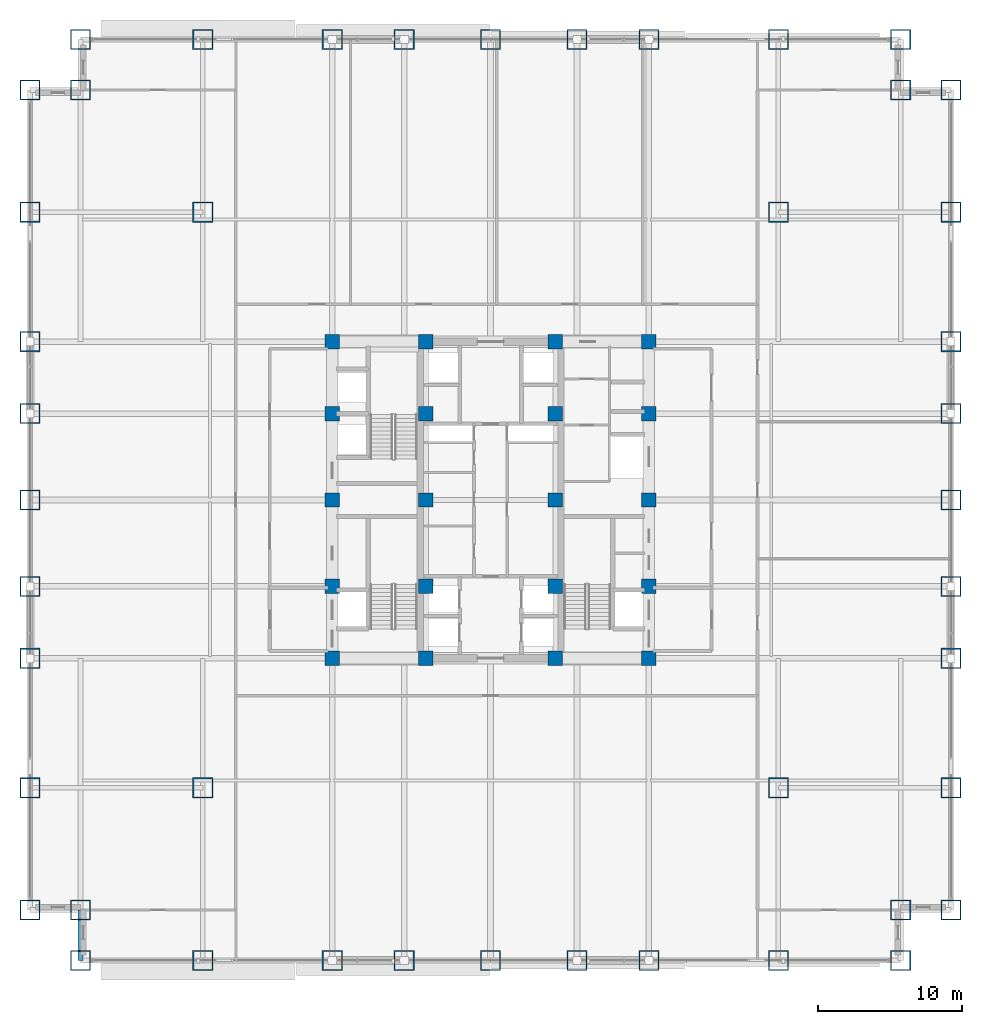
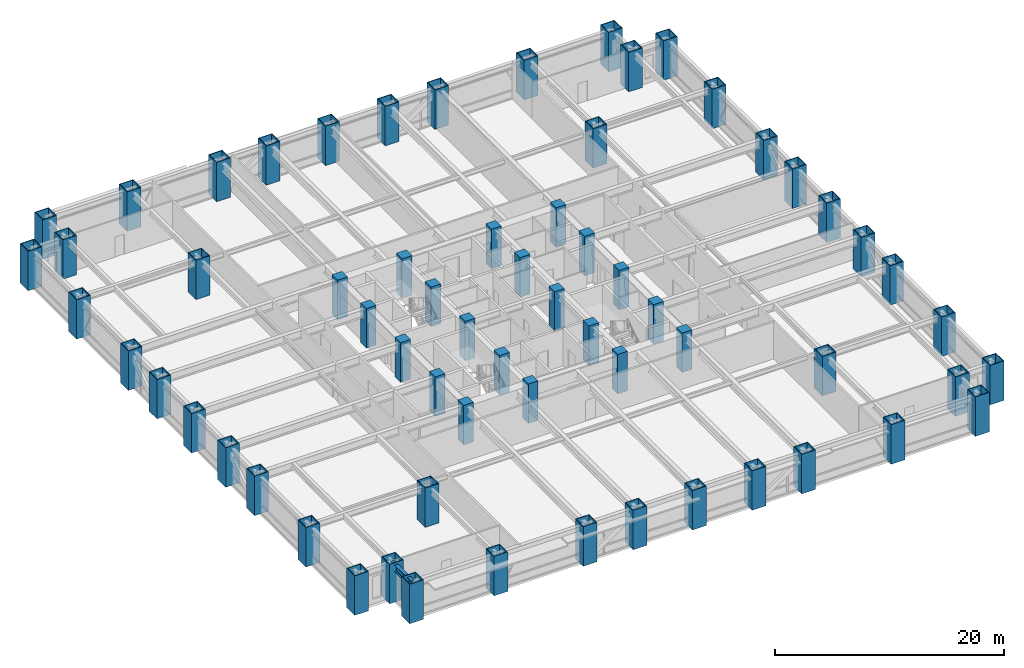
# One storey, part 1 of 31: 64 columns, 1 beam.
"""IFC4 building model written with IfcOpenShell, lengths in metres."""

import ifcopenshell
import ifcopenshell.guid

model = None  # the IFC model being written
_history = None  # IfcOwnerHistory: only IFC2X3 demands one
_inside = {}  # id of a spatial element -> (the spatial element, [elements in it])
_under = {}  # id of a project, library or spatial element -> (it, [spatial elements below it])
_declared = {}  # id of a project -> (the project, [libraries it declares])
_typed = {}  # id of a type object -> (the type object, [elements of that type])
_made_of = {}  # id of a material, layer set ... -> (it, [elements and type objects made of it])


def new_model(schema):
    """Start an empty IFC model of exactly this schema.

    Asked for "IFC4X3", IfcOpenShell would pick the latest addendum, in which some entities
    have other attributes; the version numbers below select the first issue.
    IFC2X3 requires an IfcOwnerHistory on every rooted entity: one is made here for all.
    """
    global model, _history
    if schema == "IFC4X3":
        model = ifcopenshell.file(schema_version=(4, 3, 0, 0))
    else:
        model = ifcopenshell.file(schema=schema)
    _inside.clear()
    _under.clear()
    _declared.clear()
    _typed.clear()
    _made_of.clear()
    _history = None
    if model.schema == "IFC2X3":
        org = make("IfcOrganization", Name="unknown")
        user = make(
            "IfcPersonAndOrganization",
            ThePerson=make("IfcPerson", FamilyName="unknown"),
            TheOrganization=org,
        )
        app = make(
            "IfcApplication",
            ApplicationDeveloper=org,
            Version="unknown",
            ApplicationFullName="unknown",
            ApplicationIdentifier="unknown",
        )
        _history = make(
            "IfcOwnerHistory",
            OwningUser=user,
            OwningApplication=app,
            ChangeAction="ADDED",
            CreationDate=0,
        )
    return model


def make(cls, **values):
    """One entity of the class cls with the attributes given. An attribute that is None is left unset."""
    return model.create_entity(
        cls, **{name: value for name, value in values.items() if value is not None}
    )


def rooted(cls, **values):
    """An entity with a GlobalId (a new one), such as an element, a storey or a relation."""
    return make(cls, GlobalId=ifcopenshell.guid.new(), OwnerHistory=_history, **values)


def si_unit(unit_type, name, prefix=None):
    """IfcSIUnit, for example si_unit("LENGTHUNIT", "METRE", prefix="MILLI")."""
    return make("IfcSIUnit", UnitType=unit_type, Prefix=prefix, Name=name)


def assignment(units):
    """IfcUnitAssignment: the units of a project."""
    return None if units is None else make("IfcUnitAssignment", Units=units)


def point(xyz):
    """IfcCartesianPoint."""
    return None if xyz is None else make("IfcCartesianPoint", Coordinates=xyz)


def direction(xyz):
    """IfcDirection."""
    return None if xyz is None else make("IfcDirection", DirectionRatios=xyz)


def frame(location, z_axis=None, x_axis=None):
    """IfcAxis2Placement3D, a coordinate frame: its origin and axes. An axis left out is left unset."""
    return make(
        "IfcAxis2Placement3D",
        Location=point(location),
        Axis=direction(z_axis),
        RefDirection=direction(x_axis),
    )


def frame_2d(location, x_axis=None):
    """IfcAxis2Placement2D, a coordinate frame in the plane: its origin and x axis."""
    return make(
        "IfcAxis2Placement2D", Location=point(location), RefDirection=direction(x_axis)
    )


def origin():
    """The frame at (0, 0, 0) with its axes left unset."""
    return frame((0.0, 0.0, 0.0))


def origin_2d():
    """The frame at (0, 0) in the plane with its x axis left unset."""
    return frame_2d((0.0, 0.0))


def place(relative_to, where):
    """IfcLocalPlacement: puts the frame where relative to a parent placement (None: the world)."""
    return make(
        "IfcLocalPlacement", PlacementRelTo=relative_to, RelativePlacement=where
    )


def context(
    kind, dimensions, precision=None, world=None, true_north=None, identifier=None
):
    """IfcGeometricRepresentationContext, for example the 3D "Model" context."""
    return make(
        "IfcGeometricRepresentationContext",
        ContextIdentifier=identifier,
        ContextType=kind,
        CoordinateSpaceDimension=dimensions,
        Precision=precision,
        WorldCoordinateSystem=world,
        TrueNorth=true_north,
    )


def subcontext(parent, identifier, kind, view, scale=None):
    """IfcGeometricRepresentationSubContext, for example "Body" below "Model"."""
    return make(
        "IfcGeometricRepresentationSubContext",
        ContextIdentifier=identifier,
        ContextType=kind,
        ParentContext=parent,
        TargetScale=scale,
        TargetView=view,
    )


def project(units=None, contexts=None):
    """IfcProject with its units and contexts."""
    return rooted(
        "IfcProject",
        Name="project",
        RepresentationContexts=contexts,
        UnitsInContext=assignment(units),
    )


def spatial(cls, under=None, at=None, **own):
    """A site, building, storey or space (cls), placed at a placement, below another one or the project."""
    s = rooted(cls, ObjectPlacement=at, **own)
    if under is not None:
        _under.setdefault(under.id(), (under, []))[1].append(s)
    return s


def profile(cls, at=None, kind="AREA", **sizes):
    """A parametric profile (cls). Its sizes go by their IFC names, for example OverallWidth=200.0."""
    return make(cls, ProfileType=kind, Position=at, **sizes)


def rectangle(**sizes):
    """IfcRectangleProfileDef."""
    return profile("IfcRectangleProfileDef", **sizes)


def hollow_rectangle(**sizes):
    """IfcRectangleHollowProfileDef."""
    return profile("IfcRectangleHollowProfileDef", **sizes)


def i_section(**sizes):
    """IfcIShapeProfileDef."""
    return profile("IfcIShapeProfileDef", **sizes)


def extrude(swept, where, along, depth):
    """IfcExtrudedAreaSolid: the profile swept, set in the frame where, extruded along a direction by depth."""
    return make(
        "IfcExtrudedAreaSolid",
        SweptArea=swept,
        Position=where,
        ExtrudedDirection=direction(along),
        Depth=depth,
    )


def shape(context_of_items, identifier, shape_type, items):
    """IfcShapeRepresentation: the items that make up one representation, for example the "Body"."""
    return make(
        "IfcShapeRepresentation",
        ContextOfItems=context_of_items,
        RepresentationIdentifier=identifier,
        RepresentationType=shape_type,
        Items=items,
    )


def source(mapping_origin, context_of_items, identifier, shape_type, items):
    """IfcRepresentationMap: a shape defined once, which mapped items show again and again."""
    return make(
        "IfcRepresentationMap",
        MappingOrigin=mapping_origin,
        MappedRepresentation=shape(context_of_items, identifier, shape_type, items),
    )


def transform(
    local_origin,
    x_axis=None,
    y_axis=None,
    z_axis=None,
    scale=None,
    scale2=None,
    scale3=None,
    uniform=True,
):
    """IfcCartesianTransformationOperator3D, or its non-uniform kind. x_axis, y_axis, z_axis: its Axis1, 2, 3."""
    if uniform:
        return make(
            "IfcCartesianTransformationOperator3D",
            Axis1=direction(x_axis),
            Axis2=direction(y_axis),
            LocalOrigin=point(local_origin),
            Scale=scale,
            Axis3=direction(z_axis),
        )
    return make(
        "IfcCartesianTransformationOperator3DnonUniform",
        Axis1=direction(x_axis),
        Axis2=direction(y_axis),
        LocalOrigin=point(local_origin),
        Scale=scale,
        Axis3=direction(z_axis),
        Scale2=scale2,
        Scale3=scale3,
    )


def mapped(mapping_source, mapping_target):
    """IfcMappedItem: shows the shape of a source again, moved by a transform."""
    return make(
        "IfcMappedItem", MappingSource=mapping_source, MappingTarget=mapping_target
    )


def material(Name=None, Category=None):
    """IfcMaterial."""
    return make("IfcMaterial", Name=Name, Category=Category)


def material_profile(
    of_material, cross_section, Name=None, Category=None, Priority=None
):
    """IfcMaterialProfile: a cross section and its material."""
    return make(
        "IfcMaterialProfile",
        Name=Name,
        Material=of_material,
        Profile=cross_section,
        Priority=Priority,
        Category=Category,
    )


def profile_set(profiles, Name=None, composite=None):
    """IfcMaterialProfileSet."""
    return make(
        "IfcMaterialProfileSet",
        Name=Name,
        MaterialProfiles=profiles,
        CompositeProfile=composite,
    )


def made_of(thing, what):
    """Note that an element or type object is made of a material, layer set ...; save() writes the relation."""
    if what is not None:
        _made_of.setdefault(what.id(), (what, []))[1].append(thing)
    return thing


def type_object(cls, material=None, **own):
    """A type object (cls), such as IfcWallType, which elements share."""
    return made_of(rooted(cls, **own), material)


def element(
    cls,
    number,
    at=None,
    inside=None,
    cuts=None,
    type_object=None,
    material=None,
    context=None,
    identifier="Body",
    shape_type=None,
    held_by="IfcProductDefinitionShape",
    body=None,
    shapes=None,
    **own,
):
    """One element of the class cls, such as IfcWall. Its Tag is "e" and its number.

    at: its placement. inside: the storey or other place that contains it. cuts: it is an
    opening in that element (IfcRelVoidsElement). A single representation is given by context,
    identifier, shape_type and body (its items); several are given by shapes. held_by: the class
    of the entity that holds the representations. save() writes the other relations.
    """
    e = rooted(cls, Tag="e%d" % number, ObjectPlacement=at, **own)
    if body is not None:
        shapes = [shape(context, identifier, shape_type, body)]
    if shapes is not None:
        e.Representation = make(held_by, Representations=shapes)
    if inside is not None:
        _inside.setdefault(inside.id(), (inside, []))[1].append(e)
    if cuts is not None:
        rooted(
            "IfcRelVoidsElement", RelatingBuildingElement=cuts, RelatedOpeningElement=e
        )
    if type_object is not None:
        _typed.setdefault(type_object.id(), (type_object, []))[1].append(e)
    return made_of(e, material)


def aggregate(whole, parts):
    """IfcRelAggregates: a whole, such as a stair, and the parts it consists of."""
    return rooted("IfcRelAggregates", RelatingObject=whole, RelatedObjects=parts)


def save(model, path):
    """Write the relations noted so far, then the file.

    IfcRelAggregates (storeys below a building ...), IfcRelContainedInSpatialStructure (elements
    in a storey), IfcRelDefinesByType, IfcRelAssociatesMaterial and IfcRelDeclares: one each for
    every whole, place, type object, material and project.
    """
    for whole, parts in _under.values():
        aggregate(whole, parts)
    for where, things in _inside.values():
        rooted(
            "IfcRelContainedInSpatialStructure",
            RelatedElements=things,
            RelatingStructure=where,
        )
    for kind, things in _typed.values():
        rooted("IfcRelDefinesByType", RelatedObjects=things, RelatingType=kind)
    for what, things in _made_of.values():
        rooted("IfcRelAssociatesMaterial", RelatedObjects=things, RelatingMaterial=what)
    for by, libraries in _declared.values():
        rooted("IfcRelDeclares", RelatingContext=by, RelatedDefinitions=libraries)
    model.write(path)


model = new_model("IFC4")

# Units and contexts
model_context = context("Model", 3, precision=1e-05, world=origin(), true_north=direction((0.0, 1.0)))
body_context = subcontext(model_context, "Body", "Model", "MODEL_VIEW")
ifc_project = project(units=[si_unit("LENGTHUNIT", "METRE"), si_unit("AREAUNIT", "SQUARE_METRE"), si_unit("VOLUMEUNIT", "CUBIC_METRE"), si_unit("PLANEANGLEUNIT", "RADIAN"), si_unit("MASSUNIT", "GRAM", prefix="KILO")], contexts=[model_context])

# Site, building, storey
site_placement = place(None, origin())
site = spatial("IfcSite", under=ifc_project, at=site_placement, CompositionType="ELEMENT")
building_placement = place(site_placement, origin())
building = spatial("IfcBuilding", under=site, at=building_placement, Name="Khorayat Bourse Tower", CompositionType="ELEMENT")
storey_placement = place(building_placement, frame((0.0, 0.0, 32.60009765625)))
storey = spatial("IfcBuildingStorey", under=building, at=storey_placement, Name="L06", CompositionType="ELEMENT", Elevation=32.60009765625)

# Columns
ifc_material_1 = material(Name="Steel EN 10025-4 S460M", Category="steel")
ifc_material_profile_1 = material_profile(ifc_material_1, hollow_rectangle(XDim=1.39990234375, YDim=1.39990234375, WallThickness=0.074951171875, at=origin_2d()), Name="BOX 1400x1400x75")
ifc_profile_set_1 = profile_set([ifc_material_profile_1], Name="Steel EN 10025-4 S460M")
column_type_1 = type_object("IfcColumnType", Name="COL-TUBE-1400", PredefinedType="COLUMN", material=ifc_profile_set_1)
shared_shape_1 = source(origin(), body_context, "Body", "SweptSolid", [
    extrude(hollow_rectangle(XDim=1.39990234375, YDim=1.39990234375, WallThickness=0.074951171875, at=origin_2d()), origin(), (0.0, 0.0, 1.0), 4.199951171875),
])
for number, where, z_axis, x_axis, name in (
    (1, (-32.0, -28.5, 0.0), (0.0, 0.0, 1.0), (1.0, 0.0, 0.0), "L06 Column 001"),
    (2, (-32.0, -20.0, 0.0), (0.0, 0.0, 1.0), (1.0, 0.0, 0.0), "L06 Column 002"),
    (3, (-32.0, -11.0, 0.0), (0.0, 0.0, 1.0), (1.0, 0.0, 0.0), "L06 Column 003"),
    (4, (-32.0, -6.0, 0.0), (0.0, 0.0, 1.0), (1.0, 0.0, 0.0), "L06 Column 004"),
    (5, (-32.0, 0.0, 0.0), (0.0, 0.0, 1.0), (1.0, 0.0, 0.0), "L06 Column 005"),
    (6, (-32.0, 6.0, 0.0), (0.0, 0.0, 1.0), (1.0, 0.0, 0.0), "L06 Column 006"),
    (7, (-32.0, 11.0, 0.0), (0.0, 0.0, 1.0), (1.0, 0.0, 0.0), "L06 Column 007"),
    (8, (-32.0, 20.0, 0.0), (0.0, 0.0, 1.0), (1.0, 0.0, 0.0), "L06 Column 008"),
    (9, (-32.0, 28.5, 0.0), (0.0, 0.0, 1.0), (1.0, 0.0, 0.0), "L06 Column 009"),
    (10, (-28.5, -32.0, 0.0), (0.0, 0.0, 1.0), (1.0, 0.0, 0.0), "L06 Column 010"),
    (11, (-28.5, -28.5, 0.0), (0.0, 0.0, 1.0), (1.0, 0.0, 0.0), "L06 Column 011"),
    (12, (-28.5, 28.5, 0.0), (0.0, 0.0, 1.0), (1.0, 0.0, 0.0), "L06 Column 012"),
    (13, (-28.5, 32.0, 0.0), (0.0, 0.0, 1.0), (1.0, 0.0, 0.0), "L06 Column 013"),
    (14, (-20.0, -32.0, 0.0), (0.0, 0.0, 1.0), (1.0, 0.0, 0.0), "L06 Column 014"),
    (15, (-20.0, -20.0, 0.0), (0.0, 0.0, 1.0), (1.0, 0.0, 0.0), "L06 Column 015"),
    (16, (-20.0, 20.0, 0.0), (0.0, 0.0, 1.0), (1.0, 0.0, 0.0), "L06 Column 016"),
    (17, (-20.0, 32.0, 0.0), (0.0, 0.0, 1.0), (1.0, 0.0, 0.0), "L06 Column 017"),
    (18, (-11.0, -32.0, 0.0), (0.0, 0.0, 1.0), (1.0, 0.0, 0.0), "L06 Column 018"),
    (19, (-11.0, 32.0, 0.0), (0.0, 0.0, 1.0), (1.0, 0.0, 0.0), "L06 Column 024"),
    (20, (-6.0, -32.0, 0.0), (0.0, 0.0, 1.0), (1.0, 0.0, 0.0), "L06 Column 025"),
    (21, (-6.0, 32.0, 0.0), (0.0, 0.0, 1.0), (1.0, 0.0, 0.0), "L06 Column 026"),
    (22, (0.0, -32.0, 0.0), (0.0, 0.0, 1.0), (1.0, 0.0, 0.0), "L06 Column 032"),
    (23, (0.0, 32.0, 0.0), (0.0, 0.0, 1.0), (1.0, 0.0, 0.0), "L06 Column 033"),
    (24, (6.0, -32.0, 0.0), (0.0, 0.0, 1.0), (1.0, 0.0, 0.0), "L06 Column 039"),
    (25, (6.0, 32.0, 0.0), (0.0, 0.0, 1.0), (1.0, 0.0, 0.0), "L06 Column 040"),
    (26, (11.0, -32.0, 0.0), (0.0, 0.0, 1.0), (1.0, 0.0, 0.0), "L06 Column 041"),
    (27, (11.0, 32.0, 0.0), (0.0, 0.0, 1.0), (1.0, 0.0, 0.0), "L06 Column 047"),
    (28, (20.0, -32.0, 0.0), (0.0, 0.0, 1.0), (1.0, 0.0, 0.0), "L06 Column 048"),
    (29, (20.0, -20.0, 0.0), (0.0, 0.0, 1.0), (1.0, 0.0, 0.0), "L06 Column 049"),
    (30, (20.0, 20.0, 0.0), (0.0, 0.0, 1.0), (1.0, 0.0, 0.0), "L06 Column 050"),
    (31, (20.0, 32.0, 0.0), (0.0, 0.0, 1.0), (1.0, 0.0, 0.0), "L06 Column 051"),
    (32, (28.5, -32.0, 0.0), (0.0, 0.0, 1.0), (1.0, 0.0, 0.0), "L06 Column 052"),
    (33, (28.5, -28.5, 0.0), (0.0, 0.0, 1.0), (1.0, 0.0, 0.0), "L06 Column 053"),
    (34, (28.5, 28.5, 0.0), (0.0, 0.0, 1.0), (1.0, 0.0, 0.0), "L06 Column 054"),
    (35, (28.5, 32.0, 0.0), (0.0, 0.0, 1.0), (1.0, 0.0, 0.0), "L06 Column 055"),
    (36, (32.0, -28.5, 0.0), (0.0, 0.0, 1.0), (1.0, 0.0, 0.0), "L06 Column 056"),
    (37, (32.0, -20.0, 0.0), (0.0, 0.0, 1.0), (1.0, 0.0, 0.0), "L06 Column 057"),
    (38, (32.0, -11.0, 0.0), (0.0, 0.0, 1.0), (1.0, 0.0, 0.0), "L06 Column 058"),
    (39, (32.0, -6.0, 0.0), (0.0, 0.0, 1.0), (1.0, 0.0, 0.0), "L06 Column 059"),
    (40, (32.0, 0.0, 0.0), (0.0, 0.0, 1.0), (1.0, 0.0, 0.0), "L06 Column 060"),
    (41, (32.0, 6.0, 0.0), (0.0, 0.0, 1.0), (1.0, 0.0, 0.0), "L06 Column 061"),
    (42, (32.0, 11.0, 0.0), (0.0, 0.0, 1.0), (1.0, 0.0, 0.0), "L06 Column 062"),
    (43, (32.0, 20.0, 0.0), (0.0, 0.0, 1.0), (1.0, 0.0, 0.0), "L06 Column 063"),
    (44, (32.0, 28.5, 0.0), (0.0, 0.0, 1.0), (1.0, 0.0, 0.0), "L06 Column 064"),
):
    element("IfcColumn", number, at=place(storey_placement, frame(where, z_axis=z_axis, x_axis=x_axis)), inside=storey, type_object=column_type_1, Name=name, PredefinedType="COLUMN", context=body_context, shape_type="MappedRepresentation", body=[
        mapped(shared_shape_1, transform((0.0, 0.0, 0.0), scale=1.0)),
    ])
ifc_material_2 = material(Name="Concrete C72/90", Category="concrete")
ifc_material_profile_2 = material_profile(ifc_material_2, rectangle(XDim=1.0, YDim=1.0, at=origin_2d()), Name="RC 1000x1000")
ifc_profile_set_2 = profile_set([ifc_material_profile_2], Name="Concrete C72/90")
column_type_2 = type_object("IfcColumnType", Name="COL-CORE-1000", PredefinedType="COLUMN", material=ifc_profile_set_2)
shared_shape_2 = source(origin(), body_context, "Body", "SweptSolid", [
    extrude(rectangle(XDim=1.0, YDim=1.0, at=origin_2d()), origin(), (0.0, 0.0, 1.0), 4.199951171875),
])
for number, where, z_axis, x_axis, name in (
    (45, (-11.0, -11.0, 0.0), (0.0, 0.0, 1.0), (1.0, 0.0, 0.0), "L06 Column 019"),
    (46, (-11.0, -6.0, 0.0), (0.0, 0.0, 1.0), (1.0, 0.0, 0.0), "L06 Column 020"),
    (47, (-11.0, 0.0, 0.0), (0.0, 0.0, 1.0), (1.0, 0.0, 0.0), "L06 Column 021"),
    (48, (-11.0, 6.0, 0.0), (0.0, 0.0, 1.0), (1.0, 0.0, 0.0), "L06 Column 022"),
    (49, (-11.0, 11.0, 0.0), (0.0, 0.0, 1.0), (1.0, 0.0, 0.0), "L06 Column 023"),
    (50, (-4.5, -11.0, 0.0), (0.0, 0.0, 1.0), (1.0, 0.0, 0.0), "L06 Column 027"),
    (51, (-4.5, -6.0, 0.0), (0.0, 0.0, 1.0), (1.0, 0.0, 0.0), "L06 Column 028"),
    (52, (-4.5, 0.0, 0.0), (0.0, 0.0, 1.0), (1.0, 0.0, 0.0), "L06 Column 029"),
    (53, (-4.5, 6.0, 0.0), (0.0, 0.0, 1.0), (1.0, 0.0, 0.0), "L06 Column 030"),
    (54, (-4.5, 11.0, 0.0), (0.0, 0.0, 1.0), (1.0, 0.0, 0.0), "L06 Column 031"),
    (55, (4.5, -11.0, 0.0), (0.0, 0.0, 1.0), (1.0, 0.0, 0.0), "L06 Column 034"),
    (56, (4.5, -6.0, 0.0), (0.0, 0.0, 1.0), (1.0, 0.0, 0.0), "L06 Column 035"),
    (57, (4.5, 0.0, 0.0), (0.0, 0.0, 1.0), (1.0, 0.0, 0.0), "L06 Column 036"),
    (58, (4.5, 6.0, 0.0), (0.0, 0.0, 1.0), (1.0, 0.0, 0.0), "L06 Column 037"),
    (59, (4.5, 11.0, 0.0), (0.0, 0.0, 1.0), (1.0, 0.0, 0.0), "L06 Column 038"),
    (60, (11.0, -11.0, 0.0), (0.0, 0.0, 1.0), (1.0, 0.0, 0.0), "L06 Column 042"),
    (61, (11.0, -6.0, 0.0), (0.0, 0.0, 1.0), (1.0, 0.0, 0.0), "L06 Column 043"),
    (62, (11.0, 0.0, 0.0), (0.0, 0.0, 1.0), (1.0, 0.0, 0.0), "L06 Column 044"),
    (63, (11.0, 6.0, 0.0), (0.0, 0.0, 1.0), (1.0, 0.0, 0.0), "L06 Column 045"),
    (64, (11.0, 11.0, 0.0), (0.0, 0.0, 1.0), (1.0, 0.0, 0.0), "L06 Column 046"),
):
    element("IfcColumn", number, at=place(storey_placement, frame(where, z_axis=z_axis, x_axis=x_axis)), inside=storey, type_object=column_type_2, Name=name, PredefinedType="COLUMN", context=body_context, shape_type="MappedRepresentation", body=[
        mapped(shared_shape_2, transform((0.0, 0.0, 0.0), scale=1.0)),
    ])

# Beam
ifc_material_3 = material(Name="Steel ASTM A992 Grade 50", Category="steel")
ifc_material_profile_3 = material_profile(ifc_material_3, i_section(OverallWidth=0.35498046875, OverallDepth=0.695068359375, WebThickness=0.015380859375, FlangeThickness=0.02490234375, FilletRadius=0.01806640625, at=origin_2d()), Name="W690X217")
ifc_profile_set_3 = profile_set([ifc_material_profile_3], Name="Steel ASTM A992 Grade 50")
beam_type = type_object("IfcBeamType", Name="BM-SPAN-690", PredefinedType="SPANDREL", material=ifc_profile_set_3)
shared_shape_3 = source(origin(), body_context, "Body", "SweptSolid", [
    extrude(i_section(OverallWidth=0.35498046875, OverallDepth=0.695068359375, WebThickness=0.015380859375, FlangeThickness=0.02490234375, FilletRadius=0.01806640625, at=origin_2d()), origin(), (0.0, 0.0, 1.0), 3.5),
])
beam_placement = place(storey_placement, frame((-28.5, -32.0, 3.59228515625), z_axis=(0.0, 1.0, 0.0), x_axis=(-1.0, 0.0, 0.0)))
element("IfcBeam", 65, at=beam_placement, inside=storey, type_object=beam_type, Name="L06 BM-SPAN-690 BM-L06-SPN-063", PredefinedType="SPANDREL", context=body_context, shape_type="MappedRepresentation", body=[
    mapped(shared_shape_3, transform((0.0, 0.0, 0.0), scale=1.0)),
])

save(model, "model.ifc")
